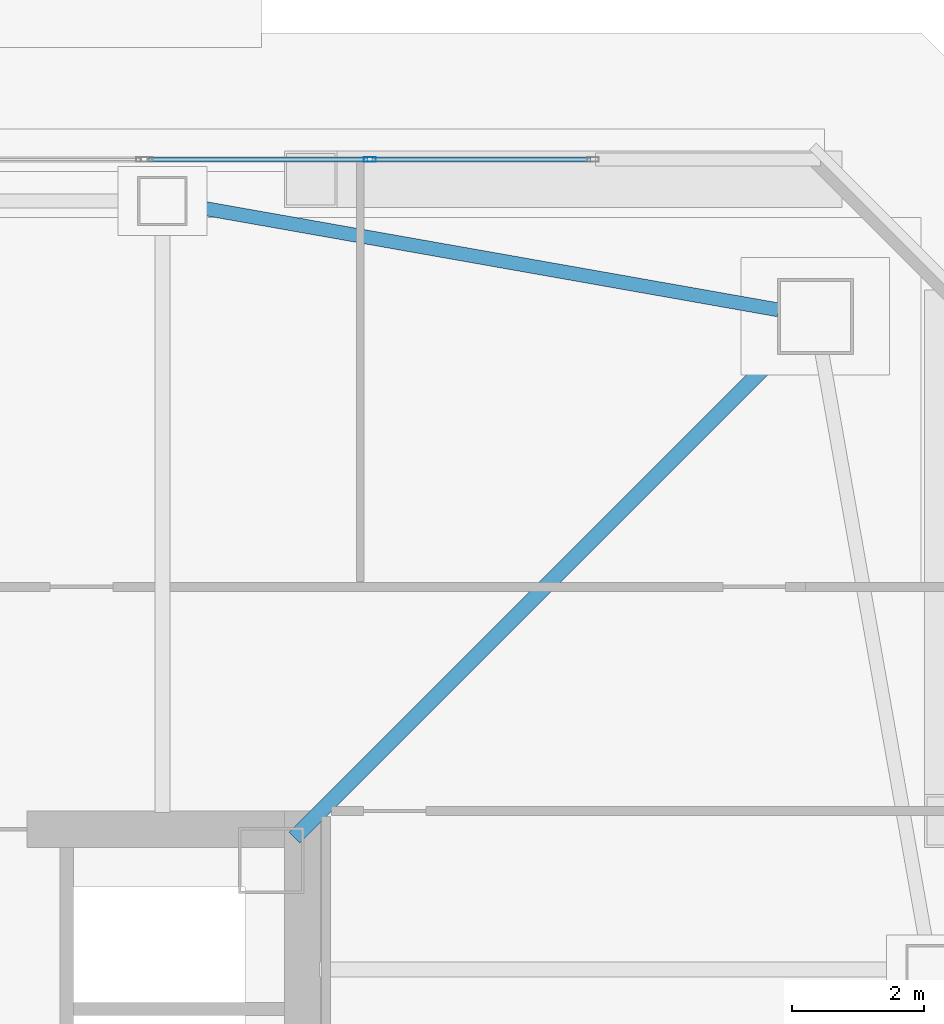
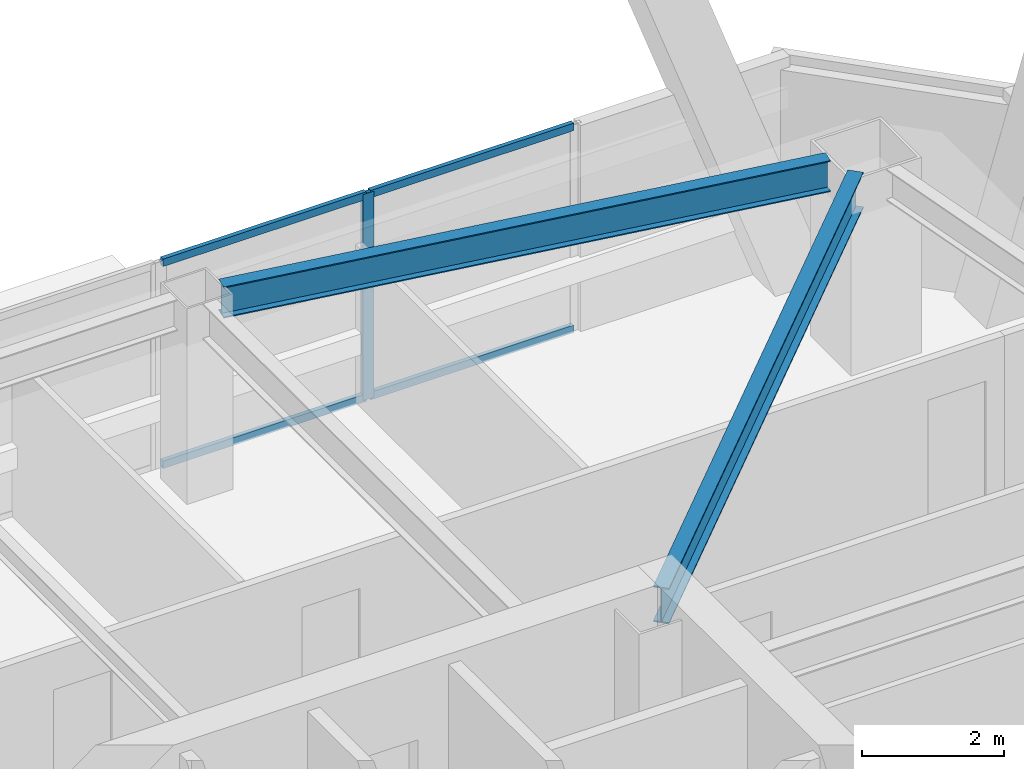
# One storey, part 22 of 65: 5 members, 2 beams, 1 element without a shape of its own.
"""IFC4 building model written with IfcOpenShell, lengths in metres."""

from ifc_helpers import new_model, si_unit, direction, frame, origin, origin_2d, place, context, subcontext, project, spatial, hollow_rectangle, i_section, extrude, material, material_profile, profile_set, type_object, element, aggregate, save


model = new_model("IFC4")

# Units and contexts
model_context = context("Model", 3, precision=1e-05, world=origin(), true_north=direction((0.0, 1.0)))
body_context = subcontext(model_context, "Body", "Model", "MODEL_VIEW")
ifc_project = project(units=[si_unit("LENGTHUNIT", "METRE"), si_unit("AREAUNIT", "SQUARE_METRE"), si_unit("VOLUMEUNIT", "CUBIC_METRE"), si_unit("PLANEANGLEUNIT", "RADIAN"), si_unit("MASSUNIT", "GRAM", prefix="KILO")], contexts=[model_context])

# Site, building, storey
site_placement = place(None, origin())
site = spatial("IfcSite", under=ifc_project, at=site_placement, CompositionType="ELEMENT")
building_placement = place(site_placement, origin())
building = spatial("IfcBuilding", under=site, at=building_placement, Name="Tashvorn Skyway Center", CompositionType="ELEMENT")
storey_placement = place(building_placement, frame((0.0, 0.0, 157.0)))
storey = spatial("IfcBuildingStorey", under=building, at=storey_placement, Name="L42", CompositionType="ELEMENT", Elevation=157.0)

# Beams
ifc_material_1 = material(Name="Steel ASTM A992 Grade 50", Category="steel")
ifc_material_profile_1 = material_profile(ifc_material_1, i_section(OverallWidth=0.22998046875, OverallDepth=0.616943359375, WebThickness=0.01318359375, FlangeThickness=0.022216796875, at=origin_2d()), Name="W24X94")
ifc_profile_set_1 = profile_set([ifc_material_profile_1], Name="Steel ASTM A992 Grade 50")
beam_type_1 = type_object("IfcBeamType", Name="BM-BEAM-W24X94", PredefinedType="BEAM", material=ifc_profile_set_1)
beam_1_placement = place(storey_placement, frame((56.89697265625, 46.89697265625, 3.0615234375), z_axis=(-0.707106781187, -0.707106781187, 0.0), x_axis=(0.707106781187, -0.707106781187, 0.0)))
element("IfcBeam", 1, at=beam_1_placement, inside=storey, type_object=beam_type_1, Name="Tower 1 L42 Primary Floor Girder MC-NE", PredefinedType="BEAM", context=body_context, shape_type="SweptSolid", body=[
    extrude(i_section(OverallWidth=0.22998046875, OverallDepth=0.616943359375, WebThickness=0.01318359375, FlangeThickness=0.022216796875, at=origin_2d()), origin(), (0.0, 0.0, 1.0), 10.6025390625),
])
ifc_material_profile_2 = material_profile(ifc_material_1, i_section(OverallWidth=0.2109375, OverallDepth=0.5390625, WebThickness=0.01171875, FlangeThickness=0.018798828125, at=origin_2d()), Name="W21X73")
ifc_profile_set_2 = profile_set([ifc_material_profile_2], Name="Steel ASTM A992 Grade 50")
beam_type_2 = type_object("IfcBeamType", Name="BM-SPANDREL-W21X73", PredefinedType="SPANDREL", material=ifc_profile_set_2)
beam_2_placement = place(storey_placement, frame((56.73876953125, 47.399169921875, 3.1005859375), z_axis=(-0.984732545667, 0.174074160933, 0.0), x_axis=(-0.174074160933, -0.984732545667, 0.0)))
element("IfcBeam", 2, at=beam_2_placement, inside=storey, type_object=beam_type_2, Name="Tower 1 L42 Spandrel Beam 07", PredefinedType="SPANDREL", context=body_context, shape_type="SweptSolid", body=[
    extrude(i_section(OverallWidth=0.2109375, OverallDepth=0.5390625, WebThickness=0.01171875, FlangeThickness=0.018798828125, at=origin_2d()), origin(), (0.0, 0.0, 1.0), 9.113525390625),
])

# Curtain wall, members
ifc_material_2 = material(Name="Thermally broken bronze-anodized aluminium 6063-T6", Category="aluminium")
curtain_wall_type = type_object("IfcCurtainWallType", Name="CW-CW-Z4", PredefinedType="NOTDEFINED", material=ifc_material_2)
curtain_wall_placement = place(storey_placement, origin())
curtain_wall = element("IfcCurtainWall", 3, at=curtain_wall_placement, inside=storey, type_object=curtain_wall_type, Name="Tower 1 L42 North Unitised Curtain Wall Glazing Group 3", PredefinedType="NOTDEFINED")
ifc_material_profile_3 = material_profile(ifc_material_2, hollow_rectangle(XDim=0.070068359375, YDim=0.179931640625, WallThickness=0.00390625, at=origin_2d()), Name="ALU-MULL-70x180")
ifc_profile_set_3 = profile_set([ifc_material_profile_3], Name="Thermally broken bronze-anodized aluminium 6063-T6")
member_type_1 = type_object("IfcMemberType", Name="CWM-CW-Z4", PredefinedType="MULLION", material=ifc_profile_set_3)
member_1_placement = place(storey_placement, frame((50.54443359375, 49.679931640625, 0.0), z_axis=(0.0, 0.0, 1.0), x_axis=(0.0, 1.0, 0.0)))
member_1 = element("IfcMember", 4, at=member_1_placement, type_object=member_type_1, Name="CW-Z4 mullion 2", PredefinedType="MULLION", context=body_context, shape_type="SweptSolid", body=[
    extrude(hollow_rectangle(XDim=0.070068359375, YDim=0.179931640625, WallThickness=0.00390625, at=origin_2d()), origin(), (0.0, 0.0, 1.0), 3.550048828125),
])
ifc_material_profile_4 = material_profile(ifc_material_2, hollow_rectangle(XDim=0.070068359375, YDim=0.1298828125, WallThickness=0.00390625, at=origin_2d()), Name="ALU-TRAN-70x130")
ifc_profile_set_4 = profile_set([ifc_material_profile_4], Name="Thermally broken bronze-anodized aluminium 6063-T6")
member_type_2 = type_object("IfcMemberType", Name="CWT-CW-Z4", PredefinedType="USERDEFINED", material=ifc_profile_set_4)
member_2_placement = place(storey_placement, frame((47.19677734375, 49.679931640625, 0.034912109375), z_axis=(1.0, 0.0, 0.0), x_axis=(0.0, 1.0, 0.0)))
member_2 = element("IfcMember", 5, at=member_2_placement, type_object=member_type_2, Name="CW-Z4 transom 1.1", ObjectType="TRANSOM", PredefinedType="USERDEFINED", context=body_context, shape_type="SweptSolid", body=[
    extrude(hollow_rectangle(XDim=0.070068359375, YDim=0.1298828125, WallThickness=0.00390625, at=origin_2d()), origin(), (0.0, 0.0, 1.0), 3.312744140625),
])
member_3_placement = place(storey_placement, frame((47.19677734375, 49.679931640625, 3.514892578125), z_axis=(1.0, 0.0, 0.0), x_axis=(0.0, 1.0, 0.0)))
member_3 = element("IfcMember", 6, at=member_3_placement, type_object=member_type_2, Name="CW-Z4 transom 1.2", ObjectType="TRANSOM", PredefinedType="USERDEFINED", context=body_context, shape_type="SweptSolid", body=[
    extrude(hollow_rectangle(XDim=0.070068359375, YDim=0.1298828125, WallThickness=0.00390625, at=origin_2d()), origin(), (0.0, 0.0, 1.0), 3.312744140625),
])
member_4_placement = place(storey_placement, frame((50.579345703125, 49.679931640625, 0.034912109375), z_axis=(1.0, 0.0, 0.0), x_axis=(0.0, 1.0, 0.0)))
member_4 = element("IfcMember", 7, at=member_4_placement, type_object=member_type_2, Name="CW-Z4 transom 2.1", ObjectType="TRANSOM", PredefinedType="USERDEFINED", context=body_context, shape_type="SweptSolid", body=[
    extrude(hollow_rectangle(XDim=0.070068359375, YDim=0.1298828125, WallThickness=0.00390625, at=origin_2d()), origin(), (0.0, 0.0, 1.0), 3.312744140625),
])
member_5_placement = place(storey_placement, frame((50.579345703125, 49.679931640625, 3.514892578125), z_axis=(1.0, 0.0, 0.0), x_axis=(0.0, 1.0, 0.0)))
member_5 = element("IfcMember", 8, at=member_5_placement, type_object=member_type_2, Name="CW-Z4 transom 2.2", ObjectType="TRANSOM", PredefinedType="USERDEFINED", context=body_context, shape_type="SweptSolid", body=[
    extrude(hollow_rectangle(XDim=0.070068359375, YDim=0.1298828125, WallThickness=0.00390625, at=origin_2d()), origin(), (0.0, 0.0, 1.0), 3.312744140625),
])
aggregate(curtain_wall, [member_1, member_2, member_3, member_4, member_5])

save(model, "model.ifc")
